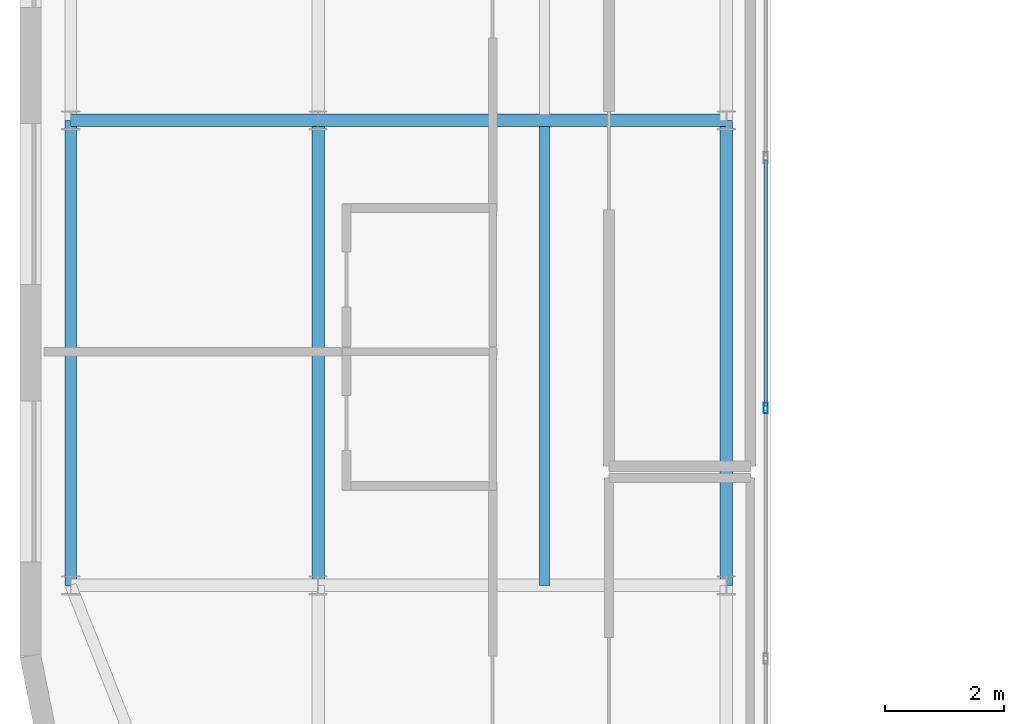
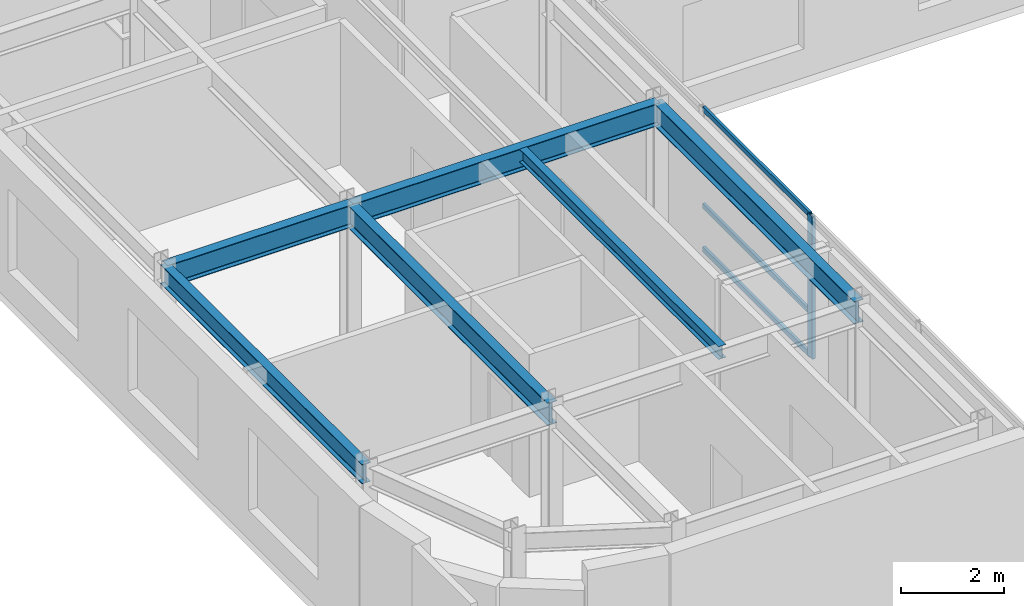
# One storey, part 5 of 18: 6 beams, 4 members, 1 element without a shape of its own.
"""IFC4 building model written with IfcOpenShell, lengths in metres."""

from ifc_helpers import new_model, si_unit, direction, frame, origin, origin_2d, place, context, subcontext, project, spatial, hollow_rectangle, i_section, extrude, source, transform, mapped, material, layer, layer_set, material_profile, profile_set, type_object, type_shapes, element, aggregate, save


model = new_model("IFC4")

# Units and contexts
model_context = context("Model", 3, precision=1e-05, world=origin(), true_north=direction((0.0, 1.0)))
body_context = subcontext(model_context, "Body", "Model", "MODEL_VIEW")
ifc_project = project(units=[si_unit("LENGTHUNIT", "METRE"), si_unit("AREAUNIT", "SQUARE_METRE"), si_unit("VOLUMEUNIT", "CUBIC_METRE"), si_unit("PLANEANGLEUNIT", "RADIAN"), si_unit("MASSUNIT", "GRAM", prefix="KILO")], contexts=[model_context])

# Site, building, storey
site_placement = place(None, origin())
site = spatial("IfcSite", under=ifc_project, at=site_placement, CompositionType="ELEMENT")
building_placement = place(site_placement, origin())
building = spatial("IfcBuilding", under=site, at=building_placement, Name="Tolvann Quenvar Hotel", CompositionType="ELEMENT")
storey_placement = place(building_placement, frame((0.0, 0.0, 252.300048828125)))
storey = spatial("IfcBuildingStorey", under=building, at=storey_placement, Name="L67", CompositionType="ELEMENT", Elevation=252.300048828125)

# Beams
ifc_material_1 = material(Name="Steel Grade 350", Category="steel")
ifc_material_profile_1 = material_profile(ifc_material_1, i_section(OverallWidth=0.208984375, OverallDepth=0.532958984375, WebThickness=0.01025390625, FlangeThickness=0.015625, FilletRadius=0.013916015625, at=origin_2d()), Name="530UB92")
ifc_profile_set_1 = profile_set([ifc_material_profile_1], Name="Steel Grade 350")
beam_type_1 = type_object("IfcBeamType", Name="BM_GIRD_530UB92", PredefinedType="BEAM", material=ifc_profile_set_1)
shared_shape_1 = source(origin(), body_context, "Body", "SweptSolid", [
    extrude(i_section(OverallWidth=0.208984375, OverallDepth=0.532958984375, WebThickness=0.01025390625, FlangeThickness=0.015625, FilletRadius=0.013916015625, at=origin_2d()), origin(), (0.0, 0.0, 1.0), 7.800048828125),
])
for number, where, z_axis, x_axis, name in (
    (1, (7.60009765625, 8.199951171875, 3.103515625), (0.0, 1.0, 0.0), (-1.0, 0.0, 0.0), "BM-L67-NS-C3-C4"),
    (2, (14.449951171875, 8.199951171875, 3.103515625), (0.0, 1.0, 0.0), (-1.0, 0.0, 0.0), "BM-L67-NS-D3-D4"),
):
    element("IfcBeam", number, at=place(storey_placement, frame(where, z_axis=z_axis, x_axis=x_axis)), inside=storey, type_object=beam_type_1, Name=name, PredefinedType="BEAM", context=body_context, shape_type="MappedRepresentation", body=[
        mapped(shared_shape_1, transform((0.0, 0.0, 0.0), x_axis=(1.0, 0.0, 0.0), y_axis=(0.0, 1.0, 0.0), z_axis=(0.0, 0.0, 1.0), scale=1.0)),
    ])
ifc_material_profile_2 = material_profile(ifc_material_1, i_section(OverallWidth=0.19091796875, OverallDepth=0.4599609375, WebThickness=0.010009765625, FlangeThickness=0.01611328125, FilletRadius=0.011474609375, at=origin_2d()), Name="460UB82")
ifc_profile_set_2 = profile_set([ifc_material_profile_2], Name="Steel Grade 350")
beam_type_2 = type_object("IfcBeamType", Name="BM_SPAND_460UB82", PredefinedType="SPANDREL", material=ifc_profile_set_2)
shared_shape_2 = source(origin(), body_context, "Body", "SweptSolid", [
    extrude(i_section(OverallWidth=0.19091796875, OverallDepth=0.4599609375, WebThickness=0.010009765625, FlangeThickness=0.01611328125, FilletRadius=0.011474609375, at=origin_2d()), origin(), (0.0, 0.0, 1.0), 7.800048828125),
])
type_shapes(beam_type_2, [shared_shape_2])
beam_1_placement = place(storey_placement, frame((3.449951171875, 8.199951171875, 3.139892578125), z_axis=(0.0, 1.0, 0.0), x_axis=(-1.0, 0.0, 0.0)))
element("IfcBeam", 3, at=beam_1_placement, inside=storey, type_object=beam_type_2, Name="BM-L67-NS-B3-B4", PredefinedType="SPANDREL", context=body_context, shape_type="MappedRepresentation", body=[
    mapped(shared_shape_2, transform((0.0, 0.0, 0.0), x_axis=(1.0, 0.0, 0.0), y_axis=(0.0, 1.0, 0.0), z_axis=(0.0, 0.0, 1.0), scale=1.0)),
])
shared_shape_3 = source(origin(), body_context, "Body", "SweptSolid", [
    extrude(i_section(OverallWidth=0.208984375, OverallDepth=0.532958984375, WebThickness=0.01025390625, FlangeThickness=0.015625, FilletRadius=0.013916015625, at=origin_2d()), origin(), (0.0, 0.0, 1.0), 4.150146484375),
])
beam_2_placement = place(storey_placement, frame((3.449951171875, 16.0, 3.103515625), z_axis=(1.0, 0.0, 0.0), x_axis=(0.0, 1.0, 0.0)))
element("IfcBeam", 4, at=beam_2_placement, inside=storey, type_object=beam_type_1, Name="BM-L67-EW-4-B4-C4", PredefinedType="BEAM", context=body_context, shape_type="MappedRepresentation", body=[
    mapped(shared_shape_3, transform((0.0, 0.0, 0.0), x_axis=(1.0, 0.0, 0.0), y_axis=(0.0, 1.0, 0.0), z_axis=(0.0, 0.0, 1.0), scale=1.0)),
])
shared_shape_4 = source(origin(), body_context, "Body", "SweptSolid", [
    extrude(i_section(OverallWidth=0.208984375, OverallDepth=0.532958984375, WebThickness=0.01025390625, FlangeThickness=0.015625, FilletRadius=0.013916015625, at=origin_2d()), origin(), (0.0, 0.0, 1.0), 6.849853515625),
])
type_shapes(beam_type_1, [shared_shape_1, shared_shape_3, shared_shape_4])
beam_3_placement = place(storey_placement, frame((7.60009765625, 16.0, 3.103515625), z_axis=(1.0, 0.0, 0.0), x_axis=(0.0, 1.0, 0.0)))
element("IfcBeam", 5, at=beam_3_placement, inside=storey, type_object=beam_type_1, Name="BM-L67-EW-4-C4-D4", PredefinedType="BEAM", context=body_context, shape_type="MappedRepresentation", body=[
    mapped(shared_shape_4, transform((0.0, 0.0, 0.0), x_axis=(1.0, 0.0, 0.0), y_axis=(0.0, 1.0, 0.0), z_axis=(0.0, 0.0, 1.0), scale=1.0)),
])
ifc_material_profile_3 = material_profile(ifc_material_1, i_section(OverallWidth=0.166015625, OverallDepth=0.306884765625, WebThickness=0.006591796875, FlangeThickness=0.01171875, FilletRadius=0.011474609375, at=origin_2d()), Name="310UB46")
ifc_profile_set_3 = profile_set([ifc_material_profile_3], Name="Steel Grade 350")
beam_type_3 = type_object("IfcBeamType", Name="BM_JOIST_310UB46", PredefinedType="JOIST", material=ifc_profile_set_3)
shared_shape_5 = source(origin(), body_context, "Body", "SweptSolid", [
    extrude(i_section(OverallWidth=0.166015625, OverallDepth=0.306884765625, WebThickness=0.006591796875, FlangeThickness=0.01171875, FilletRadius=0.011474609375, at=origin_2d()), origin(), (0.0, 0.0, 1.0), 7.70166015625),
])
type_shapes(beam_type_3, [shared_shape_5])
beam_4_placement = place(storey_placement, frame((11.39990234375, 8.199951171875, 3.216552734375), z_axis=(0.0, 1.0, 0.0), x_axis=(-1.0, 0.0, 0.0)))
element("IfcBeam", 6, at=beam_4_placement, inside=storey, type_object=beam_type_3, Name="BJ-L67-114-82", PredefinedType="JOIST", context=body_context, shape_type="MappedRepresentation", body=[
    mapped(shared_shape_5, transform((0.0, 0.0, 0.0), x_axis=(1.0, 0.0, 0.0), y_axis=(0.0, 1.0, 0.0), z_axis=(0.0, 0.0, 1.0), scale=1.0)),
])

# Curtain wall, members
ifc_material_2 = material(Name="Thermally broken anodised architectural aluminium 6063-T6 and laminated low-E glass", Category="aluminium")
ifc_layer = layer(ifc_material_2, 0.179931640625)
ifc_layer_set = layer_set([ifc_layer], Name="Thermally broken anodised architectural aluminium 6063-T6 and laminated low-E glass")
curtain_wall_type = type_object("IfcCurtainWallType", Name="CW_SYS_PORTAL_05", PredefinedType="USERDEFINED", material=ifc_layer_set)
curtain_wall_placement = place(storey_placement, origin())
curtain_wall = element("IfcCurtainWall", 7, at=curtain_wall_placement, inside=storey, type_object=curtain_wall_type, Name="Curtain Wall CW-PORTAL-05 (CWR-L67-E05)", ObjectType="UNITISED CURTAIN WALL", PredefinedType="USERDEFINED")
ifc_material_3 = material(Name="Anodised architectural aluminium 6063-T6 framing", Category="aluminium")
ifc_material_profile_4 = material_profile(ifc_material_3, hollow_rectangle(XDim=0.070068359375, YDim=0.179931640625, WallThickness=0.00390625, at=origin_2d()), Name="180x70x4RHS")
ifc_profile_set_4 = profile_set([ifc_material_profile_4], Name="Anodised architectural aluminium 6063-T6 framing")
member_type_1 = type_object("IfcMemberType", Name="CW_MULL_180x70", PredefinedType="MULLION", material=ifc_profile_set_4)
shared_shape_6 = source(origin(), body_context, "Body", "SweptSolid", [
    extrude(hollow_rectangle(XDim=0.070068359375, YDim=0.179931640625, WallThickness=0.00390625, at=origin_2d()), origin(), (0.0, 0.0, 1.0), 3.369873046875),
])
type_shapes(member_type_1, [shared_shape_6])
member_1_placement = place(storey_placement, frame((15.110107421875, 11.175048828125, 0.0), z_axis=(0.0, 0.0, 1.0), x_axis=(-1.0, 0.0, 0.0)))
member_1 = element("IfcMember", 8, at=member_1_placement, type_object=member_type_1, Name="CW-PORTAL-05 mullion 3", PredefinedType="MULLION", context=body_context, shape_type="MappedRepresentation", body=[
    mapped(shared_shape_6, transform((0.0, 0.0, 0.0), x_axis=(1.0, 0.0, 0.0), y_axis=(0.0, 1.0, 0.0), z_axis=(0.0, 0.0, 1.0), scale=1.0)),
])
ifc_material_profile_5 = material_profile(ifc_material_3, hollow_rectangle(XDim=0.06005859375, YDim=0.1201171875, WallThickness=0.00341796875, at=origin_2d()), Name="120x60x3.5RHS")
ifc_profile_set_5 = profile_set([ifc_material_profile_5], Name="Anodised architectural aluminium 6063-T6 framing")
member_type_2 = type_object("IfcMemberType", Name="CW_TRAN_120x60", PredefinedType="USERDEFINED", material=ifc_profile_set_5)
shared_shape_7 = source(origin(), body_context, "Body", "SweptSolid", [
    extrude(hollow_rectangle(XDim=0.06005859375, YDim=0.1201171875, WallThickness=0.00341796875, at=origin_2d()), origin(), (0.0, 0.0, 1.0), 4.130126953125),
])
type_shapes(member_type_2, [shared_shape_7])
member_2_placement = place(storey_placement, frame((15.110107421875, 11.2099609375, 0.030029296875), z_axis=(0.0, 1.0, 0.0), x_axis=(-1.0, 0.0, 0.0)))
member_2 = element("IfcMember", 9, at=member_2_placement, type_object=member_type_2, Name="CW-PORTAL-05 transom 3.1", ObjectType="TRANSOM", PredefinedType="USERDEFINED", context=body_context, shape_type="MappedRepresentation", body=[
    mapped(shared_shape_7, transform((0.0, 0.0, 0.0), x_axis=(1.0, 0.0, 0.0), y_axis=(0.0, 1.0, 0.0), z_axis=(0.0, 0.0, 1.0), scale=1.0)),
])
member_3_placement = place(storey_placement, frame((15.110107421875, 11.2099609375, 1.050048828125), z_axis=(0.0, 1.0, 0.0), x_axis=(-1.0, 0.0, 0.0)))
member_3 = element("IfcMember", 10, at=member_3_placement, type_object=member_type_2, Name="CW-PORTAL-05 transom 3.2", ObjectType="TRANSOM", PredefinedType="USERDEFINED", context=body_context, shape_type="MappedRepresentation", body=[
    mapped(shared_shape_7, transform((0.0, 0.0, 0.0), x_axis=(1.0, 0.0, 0.0), y_axis=(0.0, 1.0, 0.0), z_axis=(0.0, 0.0, 1.0), scale=1.0)),
])
member_4_placement = place(storey_placement, frame((15.110107421875, 11.2099609375, 3.33984375), z_axis=(0.0, 1.0, 0.0), x_axis=(-1.0, 0.0, 0.0)))
member_4 = element("IfcMember", 11, at=member_4_placement, type_object=member_type_2, Name="CW-PORTAL-05 transom 3.3", ObjectType="TRANSOM", PredefinedType="USERDEFINED", context=body_context, shape_type="MappedRepresentation", body=[
    mapped(shared_shape_7, transform((0.0, 0.0, 0.0), x_axis=(1.0, 0.0, 0.0), y_axis=(0.0, 1.0, 0.0), z_axis=(0.0, 0.0, 1.0), scale=1.0)),
])
aggregate(curtain_wall, [member_1, member_2, member_3, member_4])

save(model, "model.ifc")
